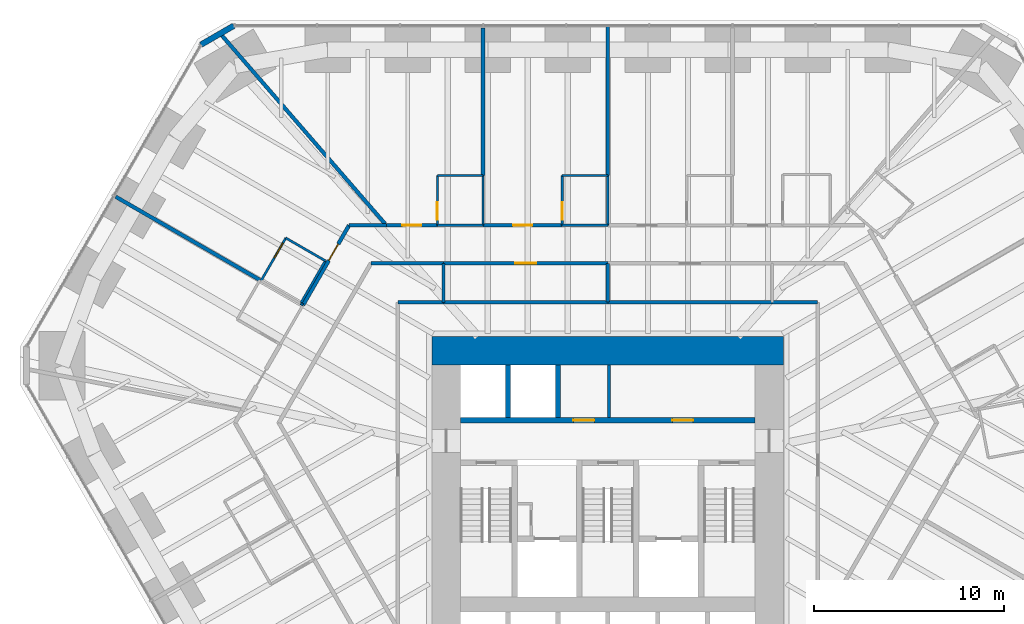
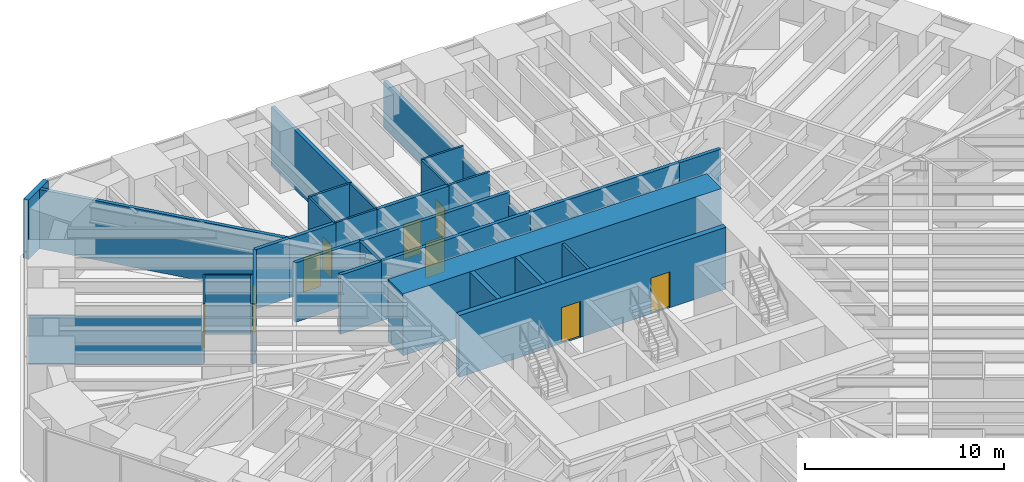
# One storey, part 14 of 17: 34 walls, 9 doors, 9 openings.
"""IFC4 building model written with IfcOpenShell, lengths in metres."""

import ifcopenshell
import ifcopenshell.guid

model = None  # the IFC model being written
_history = None  # IfcOwnerHistory: only IFC2X3 demands one
_inside = {}  # id of a spatial element -> (the spatial element, [elements in it])
_under = {}  # id of a project, library or spatial element -> (it, [spatial elements below it])
_declared = {}  # id of a project -> (the project, [libraries it declares])
_typed = {}  # id of a type object -> (the type object, [elements of that type])
_made_of = {}  # id of a material, layer set ... -> (it, [elements and type objects made of it])


def new_model(schema):
    """Start an empty IFC model of exactly this schema.

    Asked for "IFC4X3", IfcOpenShell would pick the latest addendum, in which some entities
    have other attributes; the version numbers below select the first issue.
    IFC2X3 requires an IfcOwnerHistory on every rooted entity: one is made here for all.
    """
    global model, _history
    if schema == "IFC4X3":
        model = ifcopenshell.file(schema_version=(4, 3, 0, 0))
    else:
        model = ifcopenshell.file(schema=schema)
    _inside.clear()
    _under.clear()
    _declared.clear()
    _typed.clear()
    _made_of.clear()
    _history = None
    if model.schema == "IFC2X3":
        org = make("IfcOrganization", Name="unknown")
        user = make(
            "IfcPersonAndOrganization",
            ThePerson=make("IfcPerson", FamilyName="unknown"),
            TheOrganization=org,
        )
        app = make(
            "IfcApplication",
            ApplicationDeveloper=org,
            Version="unknown",
            ApplicationFullName="unknown",
            ApplicationIdentifier="unknown",
        )
        _history = make(
            "IfcOwnerHistory",
            OwningUser=user,
            OwningApplication=app,
            ChangeAction="ADDED",
            CreationDate=0,
        )
    return model


def make(cls, **values):
    """One entity of the class cls with the attributes given. An attribute that is None is left unset."""
    return model.create_entity(
        cls, **{name: value for name, value in values.items() if value is not None}
    )


def rooted(cls, **values):
    """An entity with a GlobalId (a new one), such as an element, a storey or a relation."""
    return make(cls, GlobalId=ifcopenshell.guid.new(), OwnerHistory=_history, **values)


def si_unit(unit_type, name, prefix=None):
    """IfcSIUnit, for example si_unit("LENGTHUNIT", "METRE", prefix="MILLI")."""
    return make("IfcSIUnit", UnitType=unit_type, Prefix=prefix, Name=name)


def assignment(units):
    """IfcUnitAssignment: the units of a project."""
    return None if units is None else make("IfcUnitAssignment", Units=units)


def point(xyz):
    """IfcCartesianPoint."""
    return None if xyz is None else make("IfcCartesianPoint", Coordinates=xyz)


def direction(xyz):
    """IfcDirection."""
    return None if xyz is None else make("IfcDirection", DirectionRatios=xyz)


def frame(location, z_axis=None, x_axis=None):
    """IfcAxis2Placement3D, a coordinate frame: its origin and axes. An axis left out is left unset."""
    return make(
        "IfcAxis2Placement3D",
        Location=point(location),
        Axis=direction(z_axis),
        RefDirection=direction(x_axis),
    )


def frame_2d(location, x_axis=None):
    """IfcAxis2Placement2D, a coordinate frame in the plane: its origin and x axis."""
    return make(
        "IfcAxis2Placement2D", Location=point(location), RefDirection=direction(x_axis)
    )


def origin():
    """The frame at (0, 0, 0) with its axes left unset."""
    return frame((0.0, 0.0, 0.0))


def place(relative_to, where):
    """IfcLocalPlacement: puts the frame where relative to a parent placement (None: the world)."""
    return make(
        "IfcLocalPlacement", PlacementRelTo=relative_to, RelativePlacement=where
    )


def context(
    kind, dimensions, precision=None, world=None, true_north=None, identifier=None
):
    """IfcGeometricRepresentationContext, for example the 3D "Model" context."""
    return make(
        "IfcGeometricRepresentationContext",
        ContextIdentifier=identifier,
        ContextType=kind,
        CoordinateSpaceDimension=dimensions,
        Precision=precision,
        WorldCoordinateSystem=world,
        TrueNorth=true_north,
    )


def subcontext(parent, identifier, kind, view, scale=None):
    """IfcGeometricRepresentationSubContext, for example "Body" below "Model"."""
    return make(
        "IfcGeometricRepresentationSubContext",
        ContextIdentifier=identifier,
        ContextType=kind,
        ParentContext=parent,
        TargetScale=scale,
        TargetView=view,
    )


def project(units=None, contexts=None):
    """IfcProject with its units and contexts."""
    return rooted(
        "IfcProject",
        Name="project",
        RepresentationContexts=contexts,
        UnitsInContext=assignment(units),
    )


def spatial(cls, under=None, at=None, **own):
    """A site, building, storey or space (cls), placed at a placement, below another one or the project."""
    s = rooted(cls, ObjectPlacement=at, **own)
    if under is not None:
        _under.setdefault(under.id(), (under, []))[1].append(s)
    return s


def profile(cls, at=None, kind="AREA", **sizes):
    """A parametric profile (cls). Its sizes go by their IFC names, for example OverallWidth=200.0."""
    return make(cls, ProfileType=kind, Position=at, **sizes)


def rectangle(**sizes):
    """IfcRectangleProfileDef."""
    return profile("IfcRectangleProfileDef", **sizes)


def extrude(swept, where, along, depth):
    """IfcExtrudedAreaSolid: the profile swept, set in the frame where, extruded along a direction by depth."""
    return make(
        "IfcExtrudedAreaSolid",
        SweptArea=swept,
        Position=where,
        ExtrudedDirection=direction(along),
        Depth=depth,
    )


def shape(context_of_items, identifier, shape_type, items):
    """IfcShapeRepresentation: the items that make up one representation, for example the "Body"."""
    return make(
        "IfcShapeRepresentation",
        ContextOfItems=context_of_items,
        RepresentationIdentifier=identifier,
        RepresentationType=shape_type,
        Items=items,
    )


def material(Name=None, Category=None):
    """IfcMaterial."""
    return make("IfcMaterial", Name=Name, Category=Category)


def layer(
    of_material, thickness, ventilated=None, Name=None, Category=None, Priority=None
):
    """IfcMaterialLayer: one layer of a wall or slab, of a material (None: an air gap)."""
    return make(
        "IfcMaterialLayer",
        Material=of_material,
        LayerThickness=thickness,
        IsVentilated=ventilated,
        Name=Name,
        Category=Category,
        Priority=Priority,
    )


def layer_set(layers, Name=None):
    """IfcMaterialLayerSet."""
    return make("IfcMaterialLayerSet", MaterialLayers=layers, LayerSetName=Name)


def made_of(thing, what):
    """Note that an element or type object is made of a material, layer set ...; save() writes the relation."""
    if what is not None:
        _made_of.setdefault(what.id(), (what, []))[1].append(thing)
    return thing


def type_object(cls, material=None, **own):
    """A type object (cls), such as IfcWallType, which elements share."""
    return made_of(rooted(cls, **own), material)


def element(
    cls,
    number,
    at=None,
    inside=None,
    cuts=None,
    type_object=None,
    material=None,
    context=None,
    identifier="Body",
    shape_type=None,
    held_by="IfcProductDefinitionShape",
    body=None,
    shapes=None,
    **own,
):
    """One element of the class cls, such as IfcWall. Its Tag is "e" and its number.

    at: its placement. inside: the storey or other place that contains it. cuts: it is an
    opening in that element (IfcRelVoidsElement). A single representation is given by context,
    identifier, shape_type and body (its items); several are given by shapes. held_by: the class
    of the entity that holds the representations. save() writes the other relations.
    """
    e = rooted(cls, Tag="e%d" % number, ObjectPlacement=at, **own)
    if body is not None:
        shapes = [shape(context, identifier, shape_type, body)]
    if shapes is not None:
        e.Representation = make(held_by, Representations=shapes)
    if inside is not None:
        _inside.setdefault(inside.id(), (inside, []))[1].append(e)
    if cuts is not None:
        rooted(
            "IfcRelVoidsElement", RelatingBuildingElement=cuts, RelatedOpeningElement=e
        )
    if type_object is not None:
        _typed.setdefault(type_object.id(), (type_object, []))[1].append(e)
    return made_of(e, material)


def fill(opening, filler):
    """IfcRelFillsElement: the door or window that sits in an opening."""
    return rooted(
        "IfcRelFillsElement",
        RelatingOpeningElement=opening,
        RelatedBuildingElement=filler,
    )


def aggregate(whole, parts):
    """IfcRelAggregates: a whole, such as a stair, and the parts it consists of."""
    return rooted("IfcRelAggregates", RelatingObject=whole, RelatedObjects=parts)


def save(model, path):
    """Write the relations noted so far, then the file.

    IfcRelAggregates (storeys below a building ...), IfcRelContainedInSpatialStructure (elements
    in a storey), IfcRelDefinesByType, IfcRelAssociatesMaterial and IfcRelDeclares: one each for
    every whole, place, type object, material and project.
    """
    for whole, parts in _under.values():
        aggregate(whole, parts)
    for where, things in _inside.values():
        rooted(
            "IfcRelContainedInSpatialStructure",
            RelatedElements=things,
            RelatingStructure=where,
        )
    for kind, things in _typed.values():
        rooted("IfcRelDefinesByType", RelatedObjects=things, RelatingType=kind)
    for what, things in _made_of.values():
        rooted("IfcRelAssociatesMaterial", RelatedObjects=things, RelatingMaterial=what)
    for by, libraries in _declared.values():
        rooted("IfcRelDeclares", RelatingContext=by, RelatedDefinitions=libraries)
    model.write(path)


model = new_model("IFC4")

# Units and contexts
model_context = context("Model", 3, precision=1e-05, world=origin(), true_north=direction((0.0, 1.0)))
body_context = subcontext(model_context, "Body", "Model", "MODEL_VIEW")
ifc_project = project(units=[si_unit("LENGTHUNIT", "METRE"), si_unit("AREAUNIT", "SQUARE_METRE"), si_unit("VOLUMEUNIT", "CUBIC_METRE"), si_unit("PLANEANGLEUNIT", "RADIAN"), si_unit("MASSUNIT", "GRAM", prefix="KILO")], contexts=[model_context])

# Site, building, storey
site_placement = place(None, origin())
site = spatial("IfcSite", under=ifc_project, at=site_placement, CompositionType="ELEMENT")
building_placement = place(site_placement, origin())
building = spatial("IfcBuilding", under=site, at=building_placement, Name="Sandreach Pilgrim Tower", CompositionType="ELEMENT")
storey_placement = place(building_placement, frame((0.0, 0.0, 45.800048828125)))
storey = spatial("IfcBuildingStorey", under=building, at=storey_placement, Name="L10", CompositionType="ELEMENT", Elevation=45.800048828125)

# Walls
ifc_material_1 = material(Name="Gypsum board on steel studs", Category="steel")
ifc_layer_1 = layer(ifc_material_1, 0.14990234375)
ifc_layer_set_1 = layer_set([ifc_layer_1], Name="Back of house wall 150")
wall_type_1 = type_object("IfcWallType", Name="Back of house wall 150", PredefinedType="PARTITIONING", material=ifc_layer_set_1)
wall_1_placement = place(storey_placement, frame((-8.64990234375, 11.449951171875, 0.0), z_axis=(0.0, 0.0, 1.0), x_axis=(0.0, -1.0, 0.0)))
element("IfcWall", 1, at=wall_1_placement, inside=storey, type_object=wall_type_1, Name="Back of house wall L10-041", PredefinedType="PARTITIONING", context=body_context, shape_type="SweptSolid", body=[
    extrude(rectangle(XDim=2.050048828125, YDim=0.14990234375, at=frame_2d((1.02490234375, 0.0))), origin(), (0.0, 0.0, 1.0), 3.639892578125),
])
wall_2_placement = place(storey_placement, frame((0.0625, 3.35009765625, 0.0), z_axis=(0.0, 0.0, 1.0), x_axis=(0.0, 1.0, 0.0)))
element("IfcWall", 2, at=wall_2_placement, inside=storey, type_object=wall_type_1, Name="Core room partition L10 1", PredefinedType="PARTITIONING", context=body_context, shape_type="SweptSolid", body=[
    extrude(rectangle(XDim=2.75, YDim=0.14990234375, at=frame_2d((1.375, 0.0))), origin(), (0.0, 0.0, 1.0), 3.639892578125),
])

# Wall, opening, door
ifc_material_2 = material(Name="Moisture-resistant gypsum board on steel studs", Category="steel")
ifc_layer_2 = layer(ifc_material_2, 0.1201171875)
ifc_layer_set_2 = layer_set([ifc_layer_2], Name="Bathroom partition 120")
wall_type_2 = type_object("IfcWallType", Name="Bathroom partition 120", PredefinedType="PARTITIONING", material=ifc_layer_set_2)
wall_3_placement = place(storey_placement, frame((-16.93994140625, 12.780029296875, 0.0), z_axis=(0.0, 0.0, 1.0), x_axis=(-0.500291685314, -0.865856933682, 0.0)))
wall_3 = element("IfcWall", 3, at=wall_3_placement, inside=storey, type_object=wall_type_2, Name="Bathroom partition L10-018", PredefinedType="PARTITIONING", context=body_context, shape_type="SweptSolid", body=[
    extrude(rectangle(XDim=2.5986328125, YDim=0.1201171875, at=frame_2d((1.29931640625, 0.0))), origin(), (0.0, 0.0, 1.0), 3.639892578125),
])
opening_1_placement = place(wall_3_placement, frame((0.300048828125, 0.0, 0.0)))
opening_1 = element("IfcOpeningElement", 4, at=opening_1_placement, cuts=wall_3, Name="Opening D09-16B", PredefinedType="OPENING", context=body_context, shape_type="SweptSolid", body=[
    extrude(rectangle(XDim=0.89990234375, YDim=2.030029296875, at=frame_2d((0.449951171875, 1.01513671875))), frame((0.0, 0.06005859375, 0.0), z_axis=(0.0, -1.0, 0.0), x_axis=(1.0, 0.0, 0.0)), (0.0, 0.0, 1.0), 0.1201171875),
])
ifc_material_3 = material(Name="Timber door, steel frame", Category="steel")
door_type_1 = type_object("IfcDoorType", Name="Bathroom door", OperationType="SINGLE_SWING_LEFT", PredefinedType="DOOR", material=ifc_material_3)
door_1_placement = place(opening_1_placement, origin())
door_1 = element("IfcDoor", 5, at=door_1_placement, inside=storey, type_object=door_type_1, Name="Door 1016B", OperationType="SINGLE_SWING_LEFT", OverallHeight=2.030029296875, OverallWidth=0.89990234375, PredefinedType="DOOR", context=body_context, shape_type="SweptSolid", body=[
    extrude(rectangle(XDim=0.89990234375, YDim=2.030029296875, at=frame_2d((0.449951171875, 1.01513671875))), frame((0.0, 0.02490234375, 0.0), z_axis=(0.0, -1.0, 0.0), x_axis=(1.0, 0.0, 0.0)), (0.0, 0.0, 1.0), 0.050048828125),
])
fill(opening_1, door_1)

# Walls
wall_4_placement = place(storey_placement, frame((-16.159912109375, 9.330078125, 0.0), z_axis=(0.0, 0.0, 1.0), x_axis=(0.880098986228, -0.47479024257, 0.0)))
element("IfcWall", 6, at=wall_4_placement, inside=storey, type_object=wall_type_2, Name="Bathroom partition L10-022", PredefinedType="PARTITIONING", context=body_context, shape_type="SweptSolid", body=[
    extrude(rectangle(XDim=0.1474609375, YDim=0.1201171875, at=frame_2d((0.07373046875, 0.0))), origin(), (0.0, 0.0, 1.0), 3.639892578125),
])
wall_5_placement = place(storey_placement, frame((-16.159912109375, 9.330078125, 0.0), z_axis=(0.0, 0.0, 1.0), x_axis=(0.500291685314, 0.865856933682, 0.0)))
element("IfcWall", 7, at=wall_5_placement, inside=storey, type_object=wall_type_2, Name="Bathroom partition L10-023", PredefinedType="PARTITIONING", context=body_context, shape_type="SweptSolid", body=[
    extrude(rectangle(XDim=2.5986328125, YDim=0.1201171875, at=frame_2d((1.29931640625, 0.0))), origin(), (0.0, 0.0, 1.0), 3.639892578125),
])
wall_6_placement = place(storey_placement, frame((-14.860107421875, 11.580078125, 0.0), z_axis=(0.0, 0.0, 1.0), x_axis=(-0.866177122335, 0.499737123639, 0.0)))
element("IfcWall", 8, at=wall_6_placement, inside=storey, type_object=wall_type_2, Name="Bathroom partition L10-026", PredefinedType="PARTITIONING", context=body_context, shape_type="SweptSolid", body=[
    extrude(rectangle(XDim=2.401123046875, YDim=0.1201171875, at=frame_2d((1.20068359375, 0.0))), origin(), (0.0, 0.0, 1.0), 3.639892578125),
])

# Wall, opening, door
wall_7_placement = place(storey_placement, frame((-8.9599609375, 16.070068359375, 0.0), z_axis=(0.0, 0.0, 1.0), x_axis=(0.0, -1.0, 0.0)))
wall_7 = element("IfcWall", 9, at=wall_7_placement, inside=storey, type_object=wall_type_2, Name="Bathroom partition L10-038", PredefinedType="PARTITIONING", context=body_context, shape_type="SweptSolid", body=[
    extrude(rectangle(XDim=2.6201171875, YDim=0.1201171875, at=frame_2d((1.31005859375, 0.0))), origin(), (0.0, 0.0, 1.0), 3.639892578125),
])
opening_2_placement = place(wall_7_placement, frame((1.419921875, 0.0, 0.0)))
opening_2 = element("IfcOpeningElement", 10, at=opening_2_placement, cuts=wall_7, Name="Opening D09-01B", PredefinedType="OPENING", context=body_context, shape_type="SweptSolid", body=[
    extrude(rectangle(XDim=0.89990234375, YDim=2.030029296875, at=frame_2d((0.449951171875, 1.01513671875))), frame((0.0, 0.06005859375, 0.0), z_axis=(0.0, -1.0, 0.0), x_axis=(1.0, 0.0, 0.0)), (0.0, 0.0, 1.0), 0.1201171875),
])
door_2_placement = place(opening_2_placement, origin())
door_2 = element("IfcDoor", 11, at=door_2_placement, inside=storey, type_object=door_type_1, Name="Door 1001B", OperationType="SINGLE_SWING_RIGHT", OverallHeight=2.030029296875, OverallWidth=0.89990234375, PredefinedType="DOOR", context=body_context, shape_type="SweptSolid", body=[
    extrude(rectangle(XDim=0.89990234375, YDim=2.030029296875, at=frame_2d((0.449951171875, 1.01513671875))), frame((0.0, 0.02490234375, 0.0), z_axis=(0.0, -1.0, 0.0), x_axis=(1.0, 0.0, 0.0)), (0.0, 0.0, 1.0), 0.050048828125),
])
fill(opening_2, door_2)

# Walls
for number, where, z_axis, x_axis, name in (
    (12, (-6.56005859375, 13.449951171875, 0.0), (0.0, 0.0, 1.0), (-1.0, 0.0, 0.0), "Bathroom partition L10-044"),
    (13, (-6.56005859375, 16.070068359375, 0.0), (0.0, 0.0, 1.0), (-1.0, 0.0, 0.0), "Bathroom partition L10-045"),
):
    element("IfcWall", number, at=place(storey_placement, frame(where, z_axis=z_axis, x_axis=x_axis)), inside=storey, type_object=wall_type_2, Name=name, PredefinedType="PARTITIONING", context=body_context, shape_type="SweptSolid", body=[
        extrude(rectangle(XDim=2.39990234375, YDim=0.1201171875, at=frame_2d((1.199951171875, 0.0))), origin(), (0.0, 0.0, 1.0), 3.639892578125),
    ])
wall_8_placement = place(storey_placement, frame((-6.56005859375, 16.070068359375, 0.0), z_axis=(0.0, 0.0, 1.0), x_axis=(0.0, -1.0, 0.0)))
element("IfcWall", 14, at=wall_8_placement, inside=storey, type_object=wall_type_2, Name="Bathroom partition L10-046", PredefinedType="PARTITIONING", context=body_context, shape_type="SweptSolid", body=[
    extrude(rectangle(XDim=2.6201171875, YDim=0.1201171875, at=frame_2d((1.31005859375, 0.0))), origin(), (0.0, 0.0, 1.0), 3.639892578125),
])

# Wall, opening, door
wall_9_placement = place(storey_placement, frame((-2.39990234375, 16.070068359375, 0.0), z_axis=(0.0, 0.0, 1.0), x_axis=(0.0, -1.0, 0.0)))
wall_9 = element("IfcWall", 15, at=wall_9_placement, inside=storey, type_object=wall_type_2, Name="Bathroom partition L10-055", PredefinedType="PARTITIONING", context=body_context, shape_type="SweptSolid", body=[
    extrude(rectangle(XDim=2.6201171875, YDim=0.1201171875, at=frame_2d((1.31005859375, 0.0))), origin(), (0.0, 0.0, 1.0), 3.639892578125),
])
opening_3_placement = place(wall_9_placement, frame((1.419921875, 0.0, 0.0)))
opening_3 = element("IfcOpeningElement", 16, at=opening_3_placement, cuts=wall_9, Name="Opening D09-02B", PredefinedType="OPENING", context=body_context, shape_type="SweptSolid", body=[
    extrude(rectangle(XDim=0.89990234375, YDim=2.030029296875, at=frame_2d((0.449951171875, 1.01513671875))), frame((0.0, 0.06005859375, 0.0), z_axis=(0.0, -1.0, 0.0), x_axis=(1.0, 0.0, 0.0)), (0.0, 0.0, 1.0), 0.1201171875),
])
door_3_placement = place(opening_3_placement, origin())
door_3 = element("IfcDoor", 17, at=door_3_placement, inside=storey, type_object=door_type_1, Name="Door 1002B", OperationType="SINGLE_SWING_RIGHT", OverallHeight=2.030029296875, OverallWidth=0.89990234375, PredefinedType="DOOR", context=body_context, shape_type="SweptSolid", body=[
    extrude(rectangle(XDim=0.89990234375, YDim=2.030029296875, at=frame_2d((0.449951171875, 1.01513671875))), frame((0.0, 0.02490234375, 0.0), z_axis=(0.0, -1.0, 0.0), x_axis=(1.0, 0.0, 0.0)), (0.0, 0.0, 1.0), 0.050048828125),
])
fill(opening_3, door_3)

# Walls
for number, where, z_axis, x_axis, name in (
    (18, (0.0, 13.449951171875, 0.0), (0.0, 0.0, 1.0), (-1.0, 0.0, 0.0), "Bathroom partition L10-066"),
    (19, (0.0, 16.070068359375, 0.0), (0.0, 0.0, 1.0), (-1.0, 0.0, 0.0), "Bathroom partition L10-067"),
):
    element("IfcWall", number, at=place(storey_placement, frame(where, z_axis=z_axis, x_axis=x_axis)), inside=storey, type_object=wall_type_2, Name=name, PredefinedType="PARTITIONING", context=body_context, shape_type="SweptSolid", body=[
        extrude(rectangle(XDim=2.39990234375, YDim=0.1201171875, at=frame_2d((1.199951171875, 0.0))), origin(), (0.0, 0.0, 1.0), 3.639892578125),
    ])
wall_10_placement = place(storey_placement, frame((0.0, 16.070068359375, 0.0), z_axis=(0.0, 0.0, 1.0), x_axis=(0.0, -1.0, 0.0)))
element("IfcWall", 20, at=wall_10_placement, inside=storey, type_object=wall_type_2, Name="Bathroom partition L10-068", PredefinedType="PARTITIONING", context=body_context, shape_type="SweptSolid", body=[
    extrude(rectangle(XDim=2.6201171875, YDim=0.1201171875, at=frame_2d((1.31005859375, 0.0))), origin(), (0.0, 0.0, 1.0), 2.8779296875),
])

# Wall, openings, doors
ifc_material_4 = material(Name="Concrete 10000 psi", Category="concrete")
ifc_layer_3 = layer(ifc_material_4, 0.300048828125)
ifc_layer_set_3 = layer_set([ifc_layer_3], Name="Core inner wall 300")
wall_type_3 = type_object("IfcWallType", Name="Core inner wall 300", PredefinedType="SHEAR", material=ifc_layer_set_3)
wall_11_placement = place(storey_placement, frame((-7.75, 3.199951171875, 0.0), z_axis=(0.0, 0.0, 1.0), x_axis=(1.0, 0.0, 0.0)))
wall_11 = element("IfcWall", 21, at=wall_11_placement, inside=storey, type_object=wall_type_3, Name="Core wall PN L10", PredefinedType="SHEAR", context=body_context, shape_type="SweptSolid", body=[
    extrude(rectangle(XDim=15.5, YDim=0.300048828125, at=frame_2d((7.75, 0.0))), origin(), (0.0, 0.0, 1.0), 3.800048828125),
])
opening_4_placement = place(wall_11_placement, frame((5.94384765625, 0.0, 0.0)))
opening_4 = element("IfcOpeningElement", 22, at=opening_4_placement, cuts=wall_11, Name="Opening D11L", PredefinedType="OPENING", context=body_context, shape_type="SweptSolid", body=[
    extrude(rectangle(XDim=1.10009765625, YDim=2.199951171875, at=frame_2d((0.550048828125, 1.10009765625))), frame((0.0, 0.14990234375, 0.0), z_axis=(0.0, -1.0, 0.0), x_axis=(1.0, 0.0, 0.0)), (0.0, 0.0, 1.0), 0.300048828125),
])
opening_5_placement = place(wall_11_placement, frame((11.143798828125, 0.0, 0.0)))
opening_5 = element("IfcOpeningElement", 23, at=opening_5_placement, cuts=wall_11, Name="Opening D11L", PredefinedType="OPENING", context=body_context, shape_type="SweptSolid", body=[
    extrude(rectangle(XDim=1.10009765625, YDim=2.199951171875, at=frame_2d((0.550048828125, 1.10009765625))), frame((0.0, 0.14990234375, 0.0), z_axis=(0.0, -1.0, 0.0), x_axis=(1.0, 0.0, 0.0)), (0.0, 0.0, 1.0), 0.300048828125),
])
ifc_material_5 = material(Name="Steel door and frame, smoke seals", Category="steel")
door_type_2 = type_object("IfcDoorType", Name="Core room door", OperationType="SINGLE_SWING_LEFT", PredefinedType="DOOR", material=ifc_material_5)
door_4_placement = place(opening_4_placement, origin())
door_4 = element("IfcDoor", 24, at=door_4_placement, inside=storey, type_object=door_type_2, Name="Door linen and housekeeping store 10K1", OperationType="SINGLE_SWING_LEFT", OverallHeight=2.199951171875, OverallWidth=1.10009765625, PredefinedType="DOOR", context=body_context, shape_type="SweptSolid", body=[
    extrude(rectangle(XDim=1.10009765625, YDim=2.199951171875, at=frame_2d((0.550048828125, 1.10009765625))), frame((0.0, 0.02490234375, 0.0), z_axis=(0.0, -1.0, 0.0), x_axis=(1.0, 0.0, 0.0)), (0.0, 0.0, 1.0), 0.050048828125),
])
fill(opening_4, door_4)
door_5_placement = place(opening_5_placement, origin())
door_5 = element("IfcDoor", 25, at=door_5_placement, inside=storey, type_object=door_type_2, Name="Door cleaners store 10K2", OperationType="SINGLE_SWING_RIGHT", OverallHeight=2.199951171875, OverallWidth=1.10009765625, PredefinedType="DOOR", context=body_context, shape_type="SweptSolid", body=[
    extrude(rectangle(XDim=1.10009765625, YDim=2.199951171875, at=frame_2d((0.550048828125, 1.10009765625))), frame((0.0, 0.02490234375, 0.0), z_axis=(0.0, -1.0, 0.0), x_axis=(1.0, 0.0, 0.0)), (0.0, 0.0, 1.0), 0.050048828125),
])
fill(opening_5, door_5)

# Wall
ifc_material_6 = material(Name="Concrete 10000 psi", Category="concrete")
ifc_layer_4 = layer(ifc_material_6, 1.5)
ifc_layer_set_4 = layer_set([ifc_layer_4], Name="Core wall 1500")
wall_type_4 = type_object("IfcWallType", Name="Core wall 1500", PredefinedType="SHEAR", material=ifc_layer_set_4)
wall_12_placement = place(storey_placement, frame((-9.25, 6.85009765625, 0.0), z_axis=(0.0, 0.0, 1.0), x_axis=(1.0, 0.0, 0.0)))
element("IfcWall", 26, at=wall_12_placement, inside=storey, type_object=wall_type_4, Name="Core wall N L10", PredefinedType="SHEAR", context=body_context, shape_type="SweptSolid", body=[
    extrude(rectangle(XDim=18.5, YDim=1.5, at=frame_2d((9.25, 0.0))), origin(), (0.0, 0.0, 1.0), 3.800048828125),
])

# Wall, opening, door
ifc_material_7 = material(Name="Gypsum board on steel studs, two layers each side", Category="steel")
ifc_layer_5 = layer(ifc_material_7, 0.199951171875)
ifc_layer_set_5 = layer_set([ifc_layer_5], Name="Corridor wall 200")
wall_type_5 = type_object("IfcWallType", Name="Corridor wall 200", PredefinedType="PARTITIONING", material=ifc_layer_set_5)
wall_13_placement = place(storey_placement, frame((-16.029296875, 9.259521484375, 0.0), z_axis=(0.0, 0.0, 1.0), x_axis=(0.499975779801, 0.866039386871, 0.0)))
wall_13 = element("IfcWall", 27, at=wall_13_placement, inside=storey, type_object=wall_type_5, Name="Corridor wall L10-024", PredefinedType="PARTITIONING", context=body_context, shape_type="SweptSolid", body=[
    extrude(rectangle(XDim=4.838623046875, YDim=0.199951171875, at=frame_2d((2.41943359375, 0.0))), origin(), (0.0, 0.0, 1.0), 3.639892578125),
])
opening_6_placement = place(wall_13_placement, frame((2.699951171875, 0.0, 0.0)))
opening_6 = element("IfcOpeningElement", 28, at=opening_6_placement, cuts=wall_13, Name="Opening D10-16", PredefinedType="OPENING", context=body_context, shape_type="SweptSolid", body=[
    extrude(rectangle(XDim=1.0, YDim=2.1298828125, at=frame_2d((0.5, 1.06494140625))), frame((0.0, 0.10009765625, 0.0), z_axis=(0.0, -1.0, 0.0), x_axis=(1.0, 0.0, 0.0)), (0.0, 0.0, 1.0), 0.199951171875),
])
ifc_material_8 = material(Name="Steel door and frame", Category="steel")
door_type_3 = type_object("IfcDoorType", Name="Guest room entry door", OperationType="SINGLE_SWING_LEFT", PredefinedType="DOOR", material=ifc_material_8)
door_6_placement = place(opening_6_placement, origin())
door_6 = element("IfcDoor", 29, at=door_6_placement, inside=storey, type_object=door_type_3, Name="Door 1016", OperationType="SINGLE_SWING_RIGHT", OverallHeight=2.1298828125, OverallWidth=1.0, PredefinedType="DOOR", context=body_context, shape_type="SweptSolid", body=[
    extrude(rectangle(XDim=1.0, YDim=2.1298828125, at=frame_2d((0.5, 1.06494140625))), frame((0.0, 0.02490234375, 0.0), z_axis=(0.0, -1.0, 0.0), x_axis=(1.0, 0.0, 0.0)), (0.0, 0.0, 1.0), 0.050048828125),
])
fill(opening_6, door_6)

# Walls
wall_14_placement = place(storey_placement, frame((-12.4599609375, 11.449951171875, 0.0), z_axis=(0.0, 0.0, 1.0), x_axis=(1.0, 0.0, 0.0)))
element("IfcWall", 30, at=wall_14_placement, inside=storey, type_object=wall_type_5, Name="Corridor wall L10-027", PredefinedType="PARTITIONING", context=body_context, shape_type="SweptSolid", body=[
    extrude(rectangle(XDim=3.81005859375, YDim=0.199951171875, at=frame_2d((1.905029296875, 0.0))), origin(), (0.0, 0.0, 1.0), 3.639892578125),
])
wall_15_placement = place(storey_placement, frame((-11.64990234375, 13.449951171875, 0.0), z_axis=(0.0, 0.0, 1.0), x_axis=(-1.0, 0.0, 0.0)))
element("IfcWall", 31, at=wall_15_placement, inside=storey, type_object=wall_type_5, Name="Corridor wall L10-031", PredefinedType="PARTITIONING", context=body_context, shape_type="SweptSolid", body=[
    extrude(rectangle(XDim=1.960205078125, YDim=0.199951171875, at=frame_2d((0.97998046875, 0.0))), origin(), (0.0, 0.0, 1.0), 3.639892578125),
])

# Wall, opening, door
wall_16_placement = place(storey_placement, frame((-8.9599609375, 13.449951171875, 0.0), z_axis=(0.0, 0.0, 1.0), x_axis=(-1.0, 0.0, 0.0)))
wall_16 = element("IfcWall", 32, at=wall_16_placement, inside=storey, type_object=wall_type_5, Name="Corridor wall L10-037", PredefinedType="PARTITIONING", context=body_context, shape_type="SweptSolid", body=[
    extrude(rectangle(XDim=2.68994140625, YDim=0.199951171875, at=frame_2d((1.344970703125, 0.0))), origin(), (0.0, 0.0, 1.0), 3.639892578125),
])
opening_7_placement = place(wall_16_placement, frame((0.844970703125, 0.0, 0.0)))
opening_7 = element("IfcOpeningElement", 33, at=opening_7_placement, cuts=wall_16, Name="Opening D10-01", PredefinedType="OPENING", context=body_context, shape_type="SweptSolid", body=[
    extrude(rectangle(XDim=1.0, YDim=2.1298828125, at=frame_2d((0.5, 1.06494140625))), frame((0.0, 0.10009765625, 0.0), z_axis=(0.0, -1.0, 0.0), x_axis=(1.0, 0.0, 0.0)), (0.0, 0.0, 1.0), 0.199951171875),
])
door_7_placement = place(opening_7_placement, origin())
door_7 = element("IfcDoor", 34, at=door_7_placement, inside=storey, type_object=door_type_3, Name="Door 1001", OperationType="SINGLE_SWING_LEFT", OverallHeight=2.1298828125, OverallWidth=1.0, PredefinedType="DOOR", context=body_context, shape_type="SweptSolid", body=[
    extrude(rectangle(XDim=1.0, YDim=2.1298828125, at=frame_2d((0.5, 1.06494140625))), frame((0.0, 0.02490234375, 0.0), z_axis=(0.0, -1.0, 0.0), x_axis=(1.0, 0.0, 0.0)), (0.0, 0.0, 1.0), 0.050048828125),
])
fill(opening_7, door_7)

# Wall
wall_17_placement = place(storey_placement, frame((-8.64990234375, 9.39990234375, 0.0), z_axis=(0.0, 0.0, 1.0), x_axis=(-1.0, 0.0, 0.0)))
element("IfcWall", 35, at=wall_17_placement, inside=storey, type_object=wall_type_5, Name="Corridor wall L10-040", PredefinedType="PARTITIONING", context=body_context, shape_type="SweptSolid", body=[
    extrude(rectangle(XDim=2.39013671875, YDim=0.199951171875, at=frame_2d((1.195068359375, 0.0))), origin(), (0.0, 0.0, 1.0), 3.639892578125),
])

# Wall, opening, door
wall_18_placement = place(storey_placement, frame((-8.64990234375, 11.449951171875, 0.0), z_axis=(0.0, 0.0, 1.0), x_axis=(1.0, 0.0, 0.0)))
wall_18 = element("IfcWall", 36, at=wall_18_placement, inside=storey, type_object=wall_type_5, Name="Corridor wall L10-042", PredefinedType="PARTITIONING", context=body_context, shape_type="SweptSolid", body=[
    extrude(rectangle(XDim=8.64990234375, YDim=0.199951171875, at=frame_2d((4.324951171875, 0.0))), origin(), (0.0, 0.0, 1.0), 3.639892578125),
])
opening_8_placement = place(wall_18_placement, frame((3.77490234375, 0.0, 0.0)))
opening_8 = element("IfcOpeningElement", 37, at=opening_8_placement, cuts=wall_18, Name="Opening D11H-M02", PredefinedType="OPENING", context=body_context, shape_type="SweptSolid", body=[
    extrude(rectangle(XDim=1.10009765625, YDim=2.199951171875, at=frame_2d((0.550048828125, 1.10009765625))), frame((0.0, 0.10009765625, 0.0), z_axis=(0.0, -1.0, 0.0), x_axis=(1.0, 0.0, 0.0)), (0.0, 0.0, 1.0), 0.199951171875),
])
ifc_material_9 = material(Name="Steel door and frame", Category="steel")
door_type_4 = type_object("IfcDoorType", Name="Back of house door", OperationType="SINGLE_SWING_LEFT", PredefinedType="DOOR", material=ifc_material_9)
door_8_placement = place(opening_8_placement, origin())
door_8 = element("IfcDoor", 38, at=door_8_placement, inside=storey, type_object=door_type_4, Name="Door 10M02", OperationType="SINGLE_SWING_LEFT", OverallHeight=2.199951171875, OverallWidth=1.10009765625, PredefinedType="DOOR", context=body_context, shape_type="SweptSolid", body=[
    extrude(rectangle(XDim=1.10009765625, YDim=2.199951171875, at=frame_2d((0.550048828125, 1.10009765625))), frame((0.0, 0.02490234375, 0.0), z_axis=(0.0, -1.0, 0.0), x_axis=(1.0, 0.0, 0.0)), (0.0, 0.0, 1.0), 0.050048828125),
])
fill(opening_8, door_8)

wall_19_placement = place(storey_placement, frame((-2.39990234375, 13.449951171875, 0.0), z_axis=(0.0, 0.0, 1.0), x_axis=(-1.0, 0.0, 0.0)))
wall_19 = element("IfcWall", 39, at=wall_19_placement, inside=storey, type_object=wall_type_5, Name="Corridor wall L10-054", PredefinedType="PARTITIONING", context=body_context, shape_type="SweptSolid", body=[
    extrude(rectangle(XDim=4.16015625, YDim=0.199951171875, at=frame_2d((2.080078125, 0.0))), origin(), (0.0, 0.0, 1.0), 3.639892578125),
])
opening_9_placement = place(wall_19_placement, frame((1.580078125, 0.0, 0.0)))
opening_9 = element("IfcOpeningElement", 40, at=opening_9_placement, cuts=wall_19, Name="Opening D10-02", PredefinedType="OPENING", context=body_context, shape_type="SweptSolid", body=[
    extrude(rectangle(XDim=1.0, YDim=2.1298828125, at=frame_2d((0.5, 1.06494140625))), frame((0.0, 0.10009765625, 0.0), z_axis=(0.0, -1.0, 0.0), x_axis=(1.0, 0.0, 0.0)), (0.0, 0.0, 1.0), 0.199951171875),
])
door_9_placement = place(opening_9_placement, origin())
door_9 = element("IfcDoor", 41, at=door_9_placement, inside=storey, type_object=door_type_3, Name="Door 1002", OperationType="SINGLE_SWING_LEFT", OverallHeight=2.1298828125, OverallWidth=1.0, PredefinedType="DOOR", context=body_context, shape_type="SweptSolid", body=[
    extrude(rectangle(XDim=1.0, YDim=2.1298828125, at=frame_2d((0.5, 1.06494140625))), frame((0.0, 0.02490234375, 0.0), z_axis=(0.0, -1.0, 0.0), x_axis=(1.0, 0.0, 0.0)), (0.0, 0.0, 1.0), 0.050048828125),
])
fill(opening_9, door_9)

# Walls
for number, where, z_axis, x_axis, name in (
    (42, (0.0, 9.39990234375, 0.0), (0.0, 0.0, 1.0), (-1.0, 0.0, 0.0), "Corridor wall L10-063"),
    (43, (8.64990234375, 9.39990234375, 0.0), (0.0, 0.0, 1.0), (-1.0, 0.0, 0.0), "Corridor wall L10-093"),
):
    element("IfcWall", number, at=place(storey_placement, frame(where, z_axis=z_axis, x_axis=x_axis)), inside=storey, type_object=wall_type_5, Name=name, PredefinedType="PARTITIONING", context=body_context, shape_type="SweptSolid", body=[
        extrude(rectangle(XDim=8.64990234375, YDim=0.199951171875, at=frame_2d((4.324951171875, 0.0))), origin(), (0.0, 0.0, 1.0), 3.639892578125),
    ])
wall_20_placement = place(storey_placement, frame((11.0400390625, 9.39990234375, 0.0), z_axis=(0.0, 0.0, 1.0), x_axis=(-1.0, 0.0, 0.0)))
element("IfcWall", 44, at=wall_20_placement, inside=storey, type_object=wall_type_5, Name="Corridor wall L10-102", PredefinedType="PARTITIONING", context=body_context, shape_type="SweptSolid", body=[
    extrude(rectangle(XDim=2.39013671875, YDim=0.199951171875, at=frame_2d((1.195068359375, 0.0))), origin(), (0.0, 0.0, 1.0), 3.639892578125),
])
ifc_material_10 = material(Name="Double steel stud acoustic wall, gypsum board", Category="steel")
ifc_layer_6 = layer(ifc_material_10, 0.199951171875)
ifc_layer_set_6 = layer_set([ifc_layer_6], Name="Party wall 200")
wall_type_6 = type_object("IfcWallType", Name="Party wall 200", PredefinedType="PARTITIONING", material=ifc_layer_set_6)
wall_21_placement = place(storey_placement, frame((-25.885986328125, 14.949951171875, 0.0), z_axis=(0.0, 0.0, 1.0), x_axis=(0.866018495177, -0.500011965869, 0.0)))
element("IfcWall", 45, at=wall_21_placement, inside=storey, type_object=wall_type_6, Name="Party wall L10-002", PredefinedType="PARTITIONING", context=body_context, shape_type="SweptSolid", body=[
    extrude(rectangle(XDim=8.759521484375, YDim=0.199951171875, at=frame_2d((4.3798828125, 0.0))), origin(), (0.0, 0.0, 1.0), 2.860107421875),
])
wall_22_placement = place(storey_placement, frame((-11.715576171875, 13.525634765625, 0.0), z_axis=(0.0, 0.0, 1.0), x_axis=(-0.654901100514, 0.755714594636, 0.0)))
element("IfcWall", 46, at=wall_22_placement, inside=storey, type_object=wall_type_6, Name="Party wall L10-030", PredefinedType="PARTITIONING", context=body_context, shape_type="SweptSolid", body=[
    extrude(rectangle(XDim=13.26123046875, YDim=0.199951171875, at=frame_2d((6.630615234375, 0.0))), origin(), (0.0, 0.0, 1.0), 3.639892578125),
])
wall_23_placement = place(storey_placement, frame((-6.56005859375, 23.830078125, 0.0), z_axis=(0.0, 0.0, 1.0), x_axis=(0.0, -1.0, 0.0)))
element("IfcWall", 47, at=wall_23_placement, inside=storey, type_object=wall_type_6, Name="Party wall L10-047", PredefinedType="PARTITIONING", context=body_context, shape_type="SweptSolid", body=[
    extrude(rectangle(XDim=7.760009765625, YDim=0.199951171875, at=frame_2d((3.8798828125, 0.0))), origin(), (0.0, 0.0, 1.0), 3.639892578125),
])
wall_24_placement = place(storey_placement, frame((0.0, 11.43994140625, 0.0), z_axis=(0.0, 0.0, 1.0), x_axis=(0.0, -1.0, 0.0)))
element("IfcWall", 48, at=wall_24_placement, inside=storey, type_object=wall_type_6, Name="Party wall L10-064", PredefinedType="PARTITIONING", context=body_context, shape_type="SweptSolid", body=[
    extrude(rectangle(XDim=2.02490234375, YDim=0.199951171875, at=frame_2d((1.012451171875, 0.0))), origin(), (0.0, 0.0, 1.0), 2.8779296875),
])
wall_25_placement = place(storey_placement, frame((0.0, 23.919921875, 0.0), z_axis=(0.0, 0.0, 1.0), x_axis=(0.0, -1.0, 0.0)))
element("IfcWall", 49, at=wall_25_placement, inside=storey, type_object=wall_type_6, Name="Party wall L10-069", PredefinedType="PARTITIONING", context=body_context, shape_type="SweptSolid", body=[
    extrude(rectangle(XDim=7.849853515625, YDim=0.199951171875, at=frame_2d((3.9248046875, 0.0))), origin(), (0.0, 0.0, 1.0), 2.8779296875),
])
ifc_material_11 = material(Name="Gypsum shaft wall on steel studs, two layers of shaft liner board", Category="steel")
ifc_layer_7 = layer(ifc_material_11, 0.25)
ifc_layer_set_7 = layer_set([ifc_layer_7], Name="Shaft partition 250")
wall_type_7 = type_object("IfcWallType", Name="Shaft partition 250", PredefinedType="PARTITIONING", material=ifc_layer_set_7)
for number, where, z_axis, x_axis, name in (
    (50, (-5.25, 3.35009765625, 0.0), (0.0, 0.0, 1.0), (0.0, 1.0, 0.0), "Shaft partition NS0 L10"),
    (51, (-2.625, 3.35009765625, 0.0), (0.0, 0.0, 1.0), (0.0, 1.0, 0.0), "Shaft partition NS1 L10"),
):
    element("IfcWall", number, at=place(storey_placement, frame(where, z_axis=z_axis, x_axis=x_axis)), inside=storey, type_object=wall_type_7, Name=name, PredefinedType="PARTITIONING", context=body_context, shape_type="SweptSolid", body=[
        extrude(rectangle(XDim=2.75, YDim=0.25, at=frame_2d((1.375, 0.0))), origin(), (0.0, 0.0, 1.0), 3.800048828125),
    ])
ifc_material_12 = material(Name="Terracotta rainscreen on concrete", Category="masonry")
ifc_layer_8 = layer(ifc_material_12, 0.300048828125)
ifc_layer_set_8 = layer_set([ifc_layer_8], Name="Terracotta chamfer pier")
wall_type_8 = type_object("IfcWallType", Name="Terracotta chamfer pier", PredefinedType="SOLIDWALL", material=ifc_layer_set_8)
wall_26_placement = place(storey_placement, frame((-21.404052734375, 22.94873046875, 0.0), z_axis=(0.0, 0.0, 1.0), x_axis=(0.866010750942, 0.50002537861, 0.0)))
element("IfcWall", 52, at=wall_26_placement, inside=storey, type_object=wall_type_8, Name="Chamfer pier L10 NW", PredefinedType="SOLIDWALL", context=body_context, shape_type="SweptSolid", body=[
    extrude(rectangle(XDim=2.0, YDim=0.300048828125, at=frame_2d((1.0, 0.0))), origin(), (0.0, 0.0, 1.0), 3.639892578125),
])

save(model, "model.ifc")
